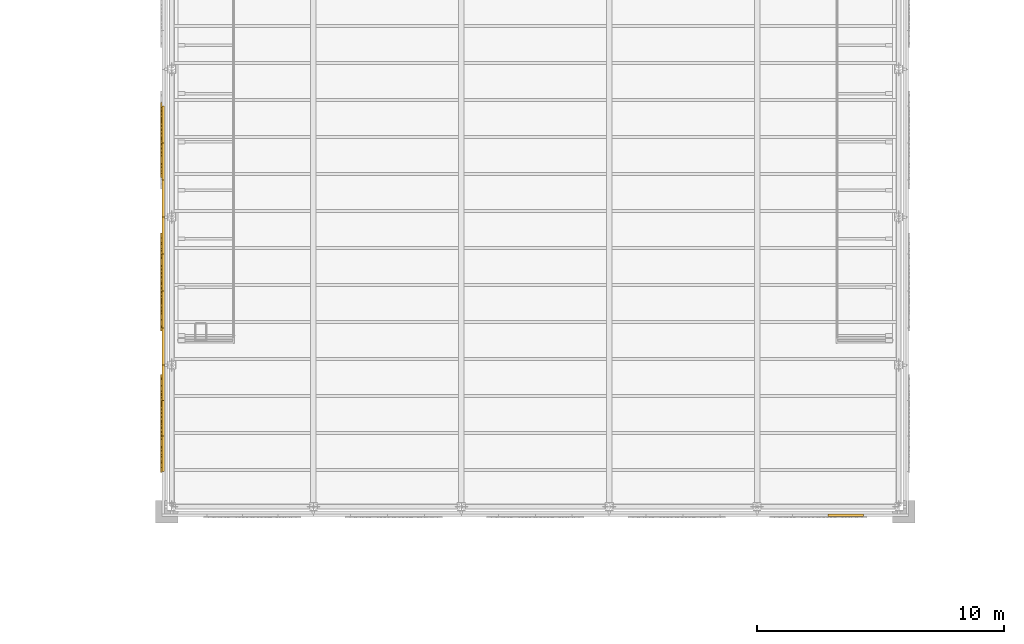
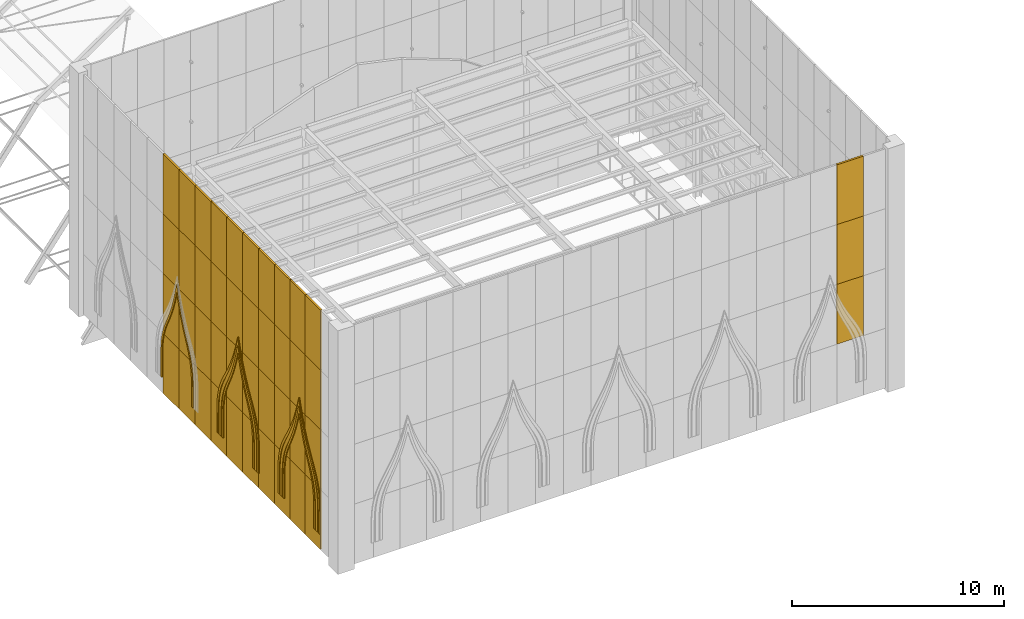
# One storey, part 38 of 43: 50 coverings.
"""IFC4 building model written with IfcOpenShell, lengths in metres."""

from ifc_helpers import new_model, si_unit, direction, frame, origin, origin_2d, place, context, subcontext, project, spatial, polyline, rectangle, outline, extrude, material, layer, layer_set, type_object, element, save


model = new_model("IFC4")

# Units and contexts
model_context = context("Model", 3, precision=1e-05, world=origin(), true_north=direction((0.0, 1.0)))
body_context = subcontext(model_context, "Body", "Model", "MODEL_VIEW")
ifc_project = project(units=[si_unit("LENGTHUNIT", "METRE"), si_unit("AREAUNIT", "SQUARE_METRE"), si_unit("VOLUMEUNIT", "CUBIC_METRE"), si_unit("PLANEANGLEUNIT", "RADIAN"), si_unit("MASSUNIT", "GRAM", prefix="KILO")], contexts=[model_context])

# Site, building, storey
site_placement = place(None, origin())
site = spatial("IfcSite", under=ifc_project, at=site_placement, CompositionType="ELEMENT")
building_placement = place(site_placement, origin())
building = spatial("IfcBuilding", under=site, at=building_placement, Name="Saffron Lane Theatres", CompositionType="ELEMENT")
storey_placement = place(building_placement, frame((0.0, 0.0, 23.0)))
storey = spatial("IfcBuildingStorey", under=building, at=storey_placement, Name="Roof", CompositionType="ELEMENT", Elevation=23.0)

# Coverings
ifc_material_1 = material(Name="Masonry sandstone", Category="masonry")
ifc_layer_1 = layer(ifc_material_1, 0.050048828125)
ifc_layer_set_1 = layer_set([ifc_layer_1], Name="Masonry sandstone")
covering_type_1 = type_object("IfcCoveringType", Name="EX-ARCH FRAME RING SANDSTONE 50", PredefinedType="CLADDING", material=ifc_layer_set_1)
covering_1_placement = place(storey_placement, frame((17.85009765625, 35.139892578125, 2.200927734375), z_axis=(1.0, 0.0, 0.0), x_axis=(0.0, -0.022997111267, 0.999735531465)))
element("IfcCovering", 1, at=covering_1_placement, inside=storey, type_object=covering_type_1, Name="Tower arch recess ring", PredefinedType="CLADDING", context=body_context, shape_type="SweptSolid", body=[
    extrude(outline(polyline([(0.0, 0.0), (0.38218115301468625, -1.734723475976807e-18), (0.7186530208482582, 0.019366850314774177), (1.0186343483940257, 0.05544643826297682), (1.2869898132143656, 0.1073942450897903), (1.5324780807332044, 0.17378776745953742), (1.7623540583257231, 0.2515296568088426), (1.9834518756015451, 0.3404627063224047), (2.202776749349248, 0.4372511059084794), (2.429104188580111, 0.5412045804038491), (2.6697452459604945, 0.6516665418200038), (2.9314442186341365, 0.7645745664218575), (3.2242587557200446, 0.8818951430329552), (3.5539512356028933, 0.9993442299771961), (3.92979654846717, 1.1167084751480998), (4.357635676105198, 1.233120901674377), (5.015327699382706, 1.3838072212008825), (5.016068817226268, 1.4160252607891064), (4.366001324490871, 1.5967942273293279), (3.9439676199607527, 1.7327564442441374), (3.5739165011461504, 1.8672786903993477), (3.2499732990800325, 1.999763486321328), (2.9628350509323225, 2.1292038038291268), (2.7066327022651064, 2.2552462395065995), (2.4713254475467292, 2.376656532702662), (2.25001739734727, 2.490907053600263), (2.035375040883897, 2.5976780859579662), (1.8186004110288587, 2.696683600709043), (1.5925423132365129, 2.784913430450588), (1.350366617897236, 2.862524781997902), (1.084683668937017, 2.9267571785346833), (0.7866786556407508, 2.9765923628217448), (0.45145321327135296, 3.0114103972689836), (0.06967630635315561, 3.0289838734080146), (-1.1309338204231558, 3.0566017421389713), (-1.1336905542200453, 2.936760397913078), (0.0649669640963737, 2.9091874454150646), (0.44161265927823573, 2.8914877983300227), (0.771008348913546, 2.8580248928690466), (1.0600050061992816, 2.8093737503892937), (1.3186322076088624, 2.7462804794268774), (1.5528207674004981, 2.671783320030293), (1.7720952663452818, 2.5859073816214284), (1.9838116733425173, 2.4899486846716656), (2.1955419607034057, 2.383977254835837), (2.4158793212020364, 2.269993268112194), (2.6521628801503603, 2.14856051679966), (2.9122479876208893, 2.0214519444263543), (3.202264617696377, 1.8897475680517621), (3.5303121965068223, 1.7552147166748848), (3.9042236160082666, 1.618650029593896), (4.332336763859077, 1.4815711452211926), (4.59173814645036, 1.4096686780727894), (4.32930491813541, 1.3497700741784586), (3.8953414309437466, 1.232521706650183), (3.515545984926742, 1.1132946854852734), (3.181659295833679, 0.9939884370761447), (2.88589338794146, 0.8757589305845156), (2.6202386675859732, 0.7607440539311694), (2.3786213059756434, 0.6503045506314862), (2.1532757855038445, 0.5465726940771315), (1.9368966680333337, 0.45044914831410154), (1.7209693641976722, 0.363350802148956), (1.4980005050933094, 0.28862469473167457), (1.26061166370447, 0.2239985013609291), (0.999379320784183, 0.17384048164958885), (0.7084512654818893, 0.13852946035397), (0.37786529567358396, 0.12024824162779892), (0.0008041253369972031, 0.11988626045883645), (-1.197853392979422, 0.1474592129568499), (-1.2006101267763114, 0.027617868730956684), (0.0, 0.0)])), origin(), (0.0, 0.0, -1.0), 0.050048828125),
])
covering_2_placement = place(storey_placement, frame((17.85009765625, 35.39990234375, 2.200927734375), z_axis=(1.0, 0.0, 0.0), x_axis=(0.0, -0.027312211802, 0.999626951961)))
element("IfcCovering", 2, at=covering_2_placement, inside=storey, type_object=covering_type_1, Name="Tower arch recess ring", PredefinedType="CLADDING", context=body_context, shape_type="SweptSolid", body=[
    extrude(outline(polyline([(0.0, 0.0), (0.40224966782484456, 0.0), (0.7569683522101139, 0.021325663033647923), (1.0741287445550716, 0.06248335251801053), (1.35881587726215, 0.12186874273052645), (1.6190700494014425, 0.1987736898983943), (1.8625674861259525, 0.28810382639053816), (2.095442766258442, 0.39091269943956275), (2.326605698736925, 0.5025607004097316), (2.5641165866928755, 0.6230718341746991), (2.816654525556407, 0.7483012592168254), (3.0903407581093636, 0.8788144236710781), (3.396084165823525, 1.0116267215797745), (3.73970192974778, 1.1451138231589746), (4.131457466973427, 1.2794837706470155), (4.5793177283455035, 1.4113438752340919), (5.367965845758813, 1.6088719789106471), (5.369059401114175, 1.6488961049168909), (4.592373712405251, 1.8891928918208298), (4.152381715175411, 2.0453112548396524), (3.7685211141738404, 2.1998959731527847), (3.432731606269066, 2.352923041886572), (3.1346964302061133, 2.5022320224121297), (2.8685450607724188, 2.6474948481228484), (2.6232219200460913, 2.7863270349024023), (2.3926191012862073, 2.9186512337134616), (2.1679241486534617, 3.043731295097295), (1.9409834067299485, 3.1581265204967868), (1.702753706168462, 3.2615955275713047), (1.4470871321053216, 3.352596669990605), (1.166067410650981, 3.4274385316282965), (0.851627570653509, 3.4858530580619056), (0.4986025634649585, 3.5265159804281714), (0.09695301748147107, 3.5484804398218417), (-1.1035267131570188, 3.5812804324622376), (-1.1089878219133684, 3.3814038519798384), (0.0895395123345729, 3.3486572035031186), (0.4811830268164994, 3.326966132948289), (0.8223029502766167, 3.2885823399750875), (1.1216650624110143, 3.2325336272005174), (1.3878844456533965, 3.1612711589454983), (1.6297735558430695, 3.075531084668762), (1.8552019907263628, 2.9772964736549703), (2.0741757818048376, 2.866293937065284), (2.2948285804350204, 2.745232024810359), (2.5244552009996295, 2.612934498081138), (2.770701195757555, 2.4721232428291975), (3.0417068840857833, 2.3257508585140143), (3.3457366105418473, 2.172370384695872), (3.68949306929166, 2.0159506271522787), (4.08132728915873, 1.8582172695781594), (4.529048855705248, 1.6989569353188092), (4.696888265087821, 1.6472344342183776), (4.526474999807872, 1.6047538094748455), (4.070725136628087, 1.4701784869566512), (3.6708359480459136, 1.3330999895579518), (3.3190778647446724, 1.1966602885192745), (3.0071265299826946, 1.0601098983409696), (2.7285059622896903, 0.9277776979053588), (2.4749651531490464, 0.8015987467497964), (2.2384571354702087, 0.6820371390982651), (2.011496389485317, 0.5722281781708328), (1.7868147728934902, 0.47432430097183365), (1.5563586505837161, 0.38854555217643194), (1.310148663136272, 0.3161415188187424), (1.0404352371730994, 0.2595220234928368), (0.7384592610185687, 0.21990331313053224), (0.3957256766072468, 0.1992271152896419), (0.0035087123658012432, 0.19992992464607567), (-1.1950186218821401, 0.23267657312279538), (-1.2004797306384898, 0.03279999264039589), (0.0, 0.0)])), origin(), (0.0, 0.0, -1.0), 0.050048828125),
])
covering_3_placement = place(storey_placement, frame((17.85009765625, 35.60009765625, 2.200927734375), z_axis=(1.0, 0.0, 0.0), x_axis=(0.0, -0.029193159722, 0.999573788885)))
element("IfcCovering", 3, at=covering_3_placement, inside=storey, type_object=covering_type_1, Name="Tower arch recess ring", PredefinedType="CLADDING", context=body_context, shape_type="SweptSolid", body=[
    extrude(outline(polyline([(0.0, 0.0), (0.41814696888594205, 1.734723475976807e-18), (0.789125603111909, 0.02409233927534542), (1.117551215790607, 0.07140949062843514), (1.4138389798139064, 0.13896058063500577), (1.684291082572596, 0.22509608173497841), (1.937363277165871, 0.32663810182462005), (2.179867205832405, 0.44265496857998693), (2.421715713852443, 0.5696819899102323), (2.6709334990761593, 0.7065078207405595), (2.935237077657832, 0.849731914106464), (3.222629765738853, 0.9974108152244933), (3.5441217178941016, 1.1501999447411422), (3.9056855581096905, 1.3035284634979691), (4.31752805888924, 1.4556328081547305), (4.787967845306298, 1.607002762387233), (5.517225804189668, 1.8057688377505887), (5.517753219672928, 1.8238275438974325), (4.8013385405305815, 2.0648153668666795), (4.340506268592379, 2.242406708390198), (3.938271282291685, 2.4192636594894568), (3.58627219313739, 2.5934322170713386), (3.274216701790751, 2.7637475056414638), (2.995961130595407, 2.9289234866890266), (2.740466816031439, 3.087328593289325), (2.499659169594852, 3.238465914530292), (2.2656363669885993, 3.379391046568081), (2.0302881835273854, 3.5083868956428654), (1.7836019926233202, 3.625501641871766), (1.518637861785045, 3.72727429932679), (1.2267974931881596, 3.8120020287206327), (0.9016931726067514, 3.878405918778749), (0.5327529279512241, 3.9241080383952593), (0.11531868269130997, 3.9485116953504535), (-1.0850972029347026, 3.9835705705147646), (-1.0891882365481025, 3.8434935795919487), (0.10927535652149442, 3.80849172231772), (0.5208598513484222, 3.7845031556023243), (0.8786029227496011, 3.7401050351319944), (1.1939956712027533, 3.6756944905111526), (1.4737268653934252, 3.5944955983344995), (1.7278305136182879, 3.4971922881935713), (1.9656013872290956, 3.3842458348191324), (2.1961258571893527, 3.2573448230259685), (2.426057056003304, 3.1184931465610197), (2.665924192342985, 2.968604517112854), (2.9233351632820677, 2.8089222097747135), (3.2054668106452016, 2.6426560466687783), (3.5215853968391, 2.4692911562476056), (3.8796212551058513, 2.292748088633249), (4.287627592240669, 2.11279164502912), (4.753527614249379, 1.9330983389877205), (5.066509931399305, 1.8279693234330057), (4.7479256065488, 1.7412855953198925), (4.27230403428107, 1.5881130204924403), (3.8545191289971497, 1.4332512906713022), (3.4867902294164193, 1.277904623695015), (3.161092637688706, 1.123284364638375), (2.8697098376597303, 0.9727910604658873), (2.603446839285382, 0.8293799484205129), (2.3552408365211748, 0.6937457914929044), (2.1175979680736017, 0.5685498997026498), (1.8800602976332301, 0.4553189270567006), (1.6361029829485005, 0.356441638060052), (1.3767536888360727, 0.2741340330107499), (1.092760407361754, 0.20939905659534055), (0.774146148118956, 0.1635050717787033), (0.41442170503741954, 0.14006102591359282), (0.0021387410569844428, 0.14013400881289806), (-1.1963248520126126, 0.17513586608712695), (-1.2004158856260125, 0.03505887516431111), (0.0, 0.0)])), origin(), (0.0, 0.0, -1.0), 0.050048828125),
])
covering_4_placement = place(storey_placement, frame((17.85009765625, 40.889892578125, 2.200927734375), z_axis=(1.0, 0.0, 0.0), x_axis=(0.0, -0.022997111267, 0.999735531465)))
element("IfcCovering", 4, at=covering_4_placement, inside=storey, type_object=covering_type_1, Name="Tower arch recess ring", PredefinedType="CLADDING", context=body_context, shape_type="SweptSolid", body=[
    extrude(outline(polyline([(0.0, 0.0), (0.38218115301468625, -1.734723475976807e-18), (0.7186530208482582, 0.019366850314774177), (1.0186343483940257, 0.05544643826297682), (1.2869898132143656, 0.1073942450897903), (1.5324780807332044, 0.17378776745953742), (1.7623540583257231, 0.2515296568088426), (1.9834518756015451, 0.3404627063224047), (2.202776749349248, 0.4372511059084794), (2.429104188580111, 0.5412045804038491), (2.6697452459604945, 0.6516665418200038), (2.931472291279726, 0.7657949467092903), (3.2242587557200446, 0.8818951430329552), (3.5539512356028933, 0.9993442299771961), (3.92979654846717, 1.1167084751480998), (4.357635676105198, 1.233120901674377), (5.015327699382706, 1.3838072212008825), (5.016068817226268, 1.4160252607891064), (4.366001324490871, 1.5967942273293279), (3.9439676199607527, 1.7327564442441374), (3.5739165011461504, 1.8672786903993477), (3.2499732990800325, 1.999763486321328), (2.9628350509323225, 2.1292038038291268), (2.7066327022651064, 2.2552462395065995), (2.4713254475467292, 2.376656532702662), (2.25001739734727, 2.490907053600263), (2.035375040883897, 2.5976780859579662), (1.8186004110288587, 2.696683600709043), (1.5925423132365129, 2.784913430450588), (1.350366617897236, 2.862524781997902), (1.084683668937017, 2.9267571785346833), (0.7866786556407508, 2.9765923628217448), (0.45145321327135296, 3.0114103972689836), (0.06967630635315561, 3.0289838734080146), (-1.1309338204231558, 3.0566017421389713), (-1.1336905542200453, 2.936760397913078), (0.0649669640963737, 2.9091874454150646), (0.44161265927823573, 2.8914877983300227), (0.771008348913546, 2.8580248928690466), (1.0600050061992816, 2.8093737503892937), (1.318654665725334, 2.7472567836568236), (1.5528207674004981, 2.671783320030293), (1.7720952663452818, 2.5859073816214284), (1.9838116733425173, 2.4899486846716656), (2.1955419607034057, 2.383977254835837), (2.4158793212020364, 2.269993268112194), (2.6521628801503603, 2.14856051679966), (2.9122479876208893, 2.0214519444263543), (3.202264617696377, 1.8897475680517621), (3.5303121965068223, 1.7552147166748848), (3.9042236160082666, 1.618650029593896), (4.332336763859077, 1.4815711452211926), (4.59173814645036, 1.4096686780727894), (4.32930491813541, 1.3497700741784586), (3.8953414309437466, 1.232521706650183), (3.515545984926742, 1.1132946854852734), (3.181659295833679, 0.9939884370761447), (2.88589338794146, 0.8757589305845156), (2.6202386675859732, 0.7607440539311694), (2.3786213059756434, 0.6503045506314862), (2.1532757855038445, 0.5465726940771315), (1.9368966680333337, 0.45044914831410154), (1.7209918223141438, 0.36432710637890214), (1.4980005050933094, 0.28862469473167457), (1.2606341218209416, 0.22497480559087527), (0.999379320784183, 0.17384048164958885), (0.7084512654818893, 0.13852946035397), (0.37786529567358396, 0.12024824162779892), (0.0008041253369972031, 0.11988626045883645), (-1.197853392979422, 0.1474592129568499), (-1.2006101267763114, 0.027617868730956684), (0.0, 0.0)])), origin(), (0.0, 0.0, -1.0), 0.050048828125),
])
covering_5_placement = place(storey_placement, frame((17.85009765625, 41.14990234375, 2.200927734375), z_axis=(1.0, 0.0, 0.0), x_axis=(0.0, -0.027312211802, 0.999626951961)))
element("IfcCovering", 5, at=covering_5_placement, inside=storey, type_object=covering_type_1, Name="Tower arch recess ring", PredefinedType="CLADDING", context=body_context, shape_type="SweptSolid", body=[
    extrude(outline(polyline([(0.0, 0.0), (0.40224966782484456, 0.0), (0.7569683522101139, 0.021325663033647923), (1.0741287445550716, 0.06248335251801053), (1.35881587726215, 0.12186874273052645), (1.6190700494014425, 0.1987736898983943), (1.8625941582077907, 0.2890800245858124), (2.095442766258442, 0.39091269943956275), (2.326605698736925, 0.5025607004097316), (2.5641165866928755, 0.6230718341746991), (2.816654525556407, 0.7483012592168254), (3.0903407581093636, 0.8788144236710781), (3.396084165823525, 1.0116267215797745), (3.739728601829618, 1.1460900213542489), (4.131457466973427, 1.2794837706470155), (4.5793177283455035, 1.4113438752340919), (5.367965845758813, 1.6088719789106471), (5.369059401114175, 1.6488961049168909), (4.592373712405251, 1.8891928918208298), (4.152381715175411, 2.0453112548396524), (3.7685211141738404, 2.1998959731527847), (3.432731606269066, 2.352923041886572), (3.1346964302061133, 2.5022320224121297), (2.8685450607724188, 2.6474948481228484), (2.6232219200460913, 2.7863270349024023), (2.3926457733680455, 2.919627431908736), (2.1679241486534617, 3.043731295097295), (1.9409834067299485, 3.1581265204967868), (1.702753706168462, 3.2615955275713047), (1.4470871321053216, 3.352596669990605), (1.166067410650981, 3.4274385316282965), (0.851627570653509, 3.4858530580619056), (0.4986025634649585, 3.5265159804281714), (0.09695301748147107, 3.5484804398218417), (-1.1035267131570188, 3.5812804324622376), (-1.1089878219133684, 3.3814038519798384), (0.0895395123345729, 3.3486572035031186), (0.48120969889833753, 3.327942331143563), (0.8223029502766167, 3.2885823399750875), (1.1216650624110143, 3.2325336272005174), (1.3878844456533965, 3.1612711589454983), (1.6297735558430695, 3.075531084668762), (1.8552019907263628, 2.9772964736549703), (2.0742024538866755, 2.867270135260558), (2.2948285804350204, 2.745232024810359), (2.5244552009996295, 2.612934498081138), (2.770727867839393, 2.473099441024472), (3.0417068840857833, 2.3257508585140143), (3.3457366105418473, 2.172370384695872), (3.6895197413734984, 2.0169268253475527), (4.08132728915873, 1.8582172695781594), (4.529048855705248, 1.6989569353188092), (4.696888265087821, 1.6472344342183776), (4.526474999807872, 1.6047538094748455), (4.070725136628087, 1.4701784869566512), (3.670862620127752, 1.3340761877532261), (3.3190778647446724, 1.1966602885192745), (3.0071265299826946, 1.0601098983409696), (2.7285326343715286, 0.9287538961006331), (2.4749651531490464, 0.8015987467497964), (2.2384571354702087, 0.6820371390982651), (2.011523061567155, 0.573204376366107), (1.7868147728934902, 0.47432430097183365), (1.5563586505837161, 0.38854555217643194), (1.310148663136272, 0.3161415188187424), (1.0404352371730994, 0.2595220234928368), (0.7384592610185687, 0.21990331313053224), (0.3957256766072468, 0.1992271152896419), (0.0035087123658012432, 0.19992992464607567), (-1.1950186218821401, 0.23267657312279538), (-1.2004797306384898, 0.03279999264039589), (0.0, 0.0)])), origin(), (0.0, 0.0, -1.0), 0.050048828125),
])
covering_6_placement = place(storey_placement, frame((17.85009765625, 41.35009765625, 2.200927734375), z_axis=(1.0, 0.0, 0.0), x_axis=(0.0, -0.029193159722, 0.999573788885)))
element("IfcCovering", 6, at=covering_6_placement, inside=storey, type_object=covering_type_1, Name="Tower arch recess ring", PredefinedType="CLADDING", context=body_context, shape_type="SweptSolid", body=[
    extrude(outline(polyline([(0.0, 0.0), (0.41814696888594205, 1.734723475976807e-18), (0.789125603111909, 0.02409233927534542), (1.117551215790607, 0.07140949062843514), (1.4138389798139064, 0.13896058063500577), (1.684291082572596, 0.22509608173497841), (1.9373917861109122, 0.3276142481028278), (2.179867205832405, 0.44265496857998693), (2.421715713852443, 0.5696819899102323), (2.6709334990761593, 0.7065078207405595), (2.935237077657832, 0.849731914106464), (3.2226582746838943, 0.9983869615027009), (3.5441217178941016, 1.1501999447411422), (3.9056855581096905, 1.3035284634979691), (4.3175565678342815, 1.4566089544329384), (4.787967845306298, 1.607002762387233), (5.517225804189668, 1.8057688377505887), (5.517753219672928, 1.8238275438974325), (4.8013385405305815, 2.0648153668666795), (4.340506268592379, 2.242406708390198), (3.938271282291685, 2.4192636594894568), (3.58627219313739, 2.5934322170713386), (3.274245210735792, 2.7647236519196716), (2.995961130595407, 2.9289234866890266), (2.740466816031439, 3.087328593289325), (2.499659169594852, 3.238465914530292), (2.2656363669885993, 3.379391046568081), (2.0303166924724265, 3.5093630419210733), (1.7836019926233202, 3.625501641871766), (1.518637861785045, 3.72727429932679), (1.2267974931881596, 3.8120020287206327), (0.9016931726067514, 3.878405918778749), (0.5327529279512241, 3.9241080383952593), (0.11531868269130997, 3.9485116953504535), (-1.0850972029347026, 3.9835705705147646), (-1.0891882365481025, 3.8434935795919487), (0.10927535652149442, 3.80849172231772), (0.5208598513484222, 3.7845031556023243), (0.8786029227496011, 3.7401050351319944), (1.1939956712027533, 3.6756944905111526), (1.4737268653934252, 3.5944955983344995), (1.7278305136182879, 3.4971922881935713), (1.9656013872290956, 3.3842458348191324), (2.1961258571893527, 3.2573448230259685), (2.426057056003304, 3.1184931465610197), (2.665924192342985, 2.968604517112854), (2.923363672227109, 2.8098983560529214), (3.2054668106452016, 2.6426560466687783), (3.5215853968391, 2.4692911562476056), (3.8796212551058513, 2.292748088633249), (4.28765610118571, 2.113767791307328), (4.753527614249379, 1.9330983389877205), (5.066509931399305, 1.8279693234330057), (4.7479256065488, 1.7412855953198925), (4.272332543226111, 1.5890891667706482), (3.8545191289971497, 1.4332512906713022), (3.4867902294164193, 1.277904623695015), (3.161092637688706, 1.123284364638375), (2.8697098376597303, 0.9727910604658873), (2.603446839285382, 0.8293799484205129), (2.3552408365211748, 0.6937457914929044), (2.1175979680736017, 0.5685498997026498), (1.8800602976332301, 0.4553189270567006), (1.6361029829485005, 0.356441638060052), (1.3767536888360727, 0.2741340330107499), (1.092760407361754, 0.20939905659534055), (0.774146148118956, 0.1635050717787033), (0.41442170503741954, 0.14006102591359282), (0.0021387410569844428, 0.14013400881289806), (-1.1963248520126126, 0.17513586608712695), (-1.2004158856260125, 0.03505887516431111), (0.0, 0.0)])), origin(), (0.0, 0.0, -1.0), 0.050048828125),
])
covering_7_placement = place(storey_placement, frame((17.85009765625, 46.639892578125, 2.200927734375), z_axis=(1.0, 0.0, 0.0), x_axis=(0.0, -0.022997111267, 0.999735531465)))
element("IfcCovering", 7, at=covering_7_placement, inside=storey, type_object=covering_type_1, Name="Tower arch recess ring", PredefinedType="CLADDING", context=body_context, shape_type="SweptSolid", body=[
    extrude(outline(polyline([(0.0, 0.0), (0.38218115301468625, -1.734723475976807e-18), (0.7186530208482582, 0.019366850314774177), (1.0186343483940257, 0.05544643826297682), (1.2869898132143656, 0.1073942450897903), (1.5324780807332044, 0.17378776745953742), (1.7623540583257231, 0.2515296568088426), (1.9834518756015451, 0.3404627063224047), (2.202776749349248, 0.4372511059084794), (2.429104188580111, 0.5412045804038491), (2.6697452459604945, 0.6516665418200038), (2.931472291279726, 0.7657949467092903), (3.2242587557200446, 0.8818951430329552), (3.5539512356028933, 0.9993442299771961), (3.92979654846717, 1.1167084751480998), (4.357635676105198, 1.233120901674377), (5.015327699382706, 1.3838072212008825), (5.016068817226268, 1.4160252607891064), (4.366001324490871, 1.5967942273293279), (3.9439676199607527, 1.7327564442441374), (3.5739165011461504, 1.8672786903993477), (3.2499732990800325, 1.999763486321328), (2.9628350509323225, 2.1292038038291268), (2.7066327022651064, 2.2552462395065995), (2.4713254475467292, 2.376656532702662), (2.25001739734727, 2.490907053600263), (2.035375040883897, 2.5976780859579662), (1.8186004110288587, 2.696683600709043), (1.5925423132365129, 2.784913430450588), (1.350366617897236, 2.862524781997902), (1.084683668937017, 2.9267571785346833), (0.7866786556407508, 2.9765923628217448), (0.45145321327135296, 3.0114103972689836), (0.06967630635315561, 3.0289838734080146), (-1.1309338204231558, 3.0566017421389713), (-1.1336905542200453, 2.936760397913078), (0.0649669640963737, 2.9091874454150646), (0.44161265927823573, 2.8914877983300227), (0.771008348913546, 2.8580248928690466), (1.0600050061992816, 2.8093737503892937), (1.318654665725334, 2.7472567836568236), (1.5528207674004981, 2.671783320030293), (1.7720952663452818, 2.5859073816214284), (1.9838116733425173, 2.4899486846716656), (2.1955419607034057, 2.383977254835837), (2.4158793212020364, 2.269993268112194), (2.6521628801503603, 2.14856051679966), (2.9122479876208893, 2.0214519444263543), (3.202264617696377, 1.8897475680517621), (3.5303121965068223, 1.7552147166748848), (3.9042236160082666, 1.618650029593896), (4.332336763859077, 1.4815711452211926), (4.59173814645036, 1.4096686780727894), (4.32930491813541, 1.3497700741784586), (3.8953414309437466, 1.232521706650183), (3.515545984926742, 1.1132946854852734), (3.181659295833679, 0.9939884370761447), (2.88589338794146, 0.8757589305845156), (2.6202386675859732, 0.7607440539311694), (2.3786213059756434, 0.6503045506314862), (2.1532757855038445, 0.5465726940771315), (1.9368966680333337, 0.45044914831410154), (1.7209918223141438, 0.36432710637890214), (1.4980005050933094, 0.28862469473167457), (1.2606341218209416, 0.22497480559087527), (0.999379320784183, 0.17384048164958885), (0.7084512654818893, 0.13852946035397), (0.37786529567358396, 0.12024824162779892), (0.0008041253369972031, 0.11988626045883645), (-1.197853392979422, 0.1474592129568499), (-1.2006101267763114, 0.027617868730956684), (0.0, 0.0)])), origin(), (0.0, 0.0, -1.0), 0.050048828125),
])
ifc_material_2 = material(Name="Masonry perforated pale clay brick", Category="masonry")
ifc_layer_2 = layer(ifc_material_2, 0.10009765625)
ifc_layer_set_2 = layer_set([ifc_layer_2], Name="Masonry perforated pale clay brick")
covering_type_2 = type_object("IfcCoveringType", Name="EX-CLADDING PANEL PERFORATED BRICK 100", PredefinedType="CLADDING", material=ifc_layer_set_2)
for number, where, z_axis, x_axis, name in (
    (8, (45.59375, 29.89990234375, 3.53759765625), (0.0, 0.0, 1.0), (1.0, 0.0, 0.0), "Tower panel S74"),
    (9, (45.59375, 29.89990234375, 6.97509765625), (0.0, 0.0, 1.0), (1.0, 0.0, 0.0), "Tower panel S75"),
    (10, (45.59375, 29.89990234375, 10.41259765625), (0.0, 0.0, 1.0), (1.0, 0.0, 0.0), "Tower panel S76"),
    (11, (17.89990234375, 32.40625, 0.10009765625), (0.0, 0.0, 1.0), (0.0, 1.0, 0.0), "Tower panel W165"),
    (12, (17.89990234375, 32.40625, 3.53759765625), (0.0, 0.0, 1.0), (0.0, 1.0, 0.0), "Tower panel W166"),
    (13, (17.89990234375, 32.40625, 6.97509765625), (0.0, 0.0, 1.0), (0.0, 1.0, 0.0), "Tower panel W167"),
    (14, (17.89990234375, 32.40625, 10.41259765625), (0.0, 0.0, 1.0), (0.0, 1.0, 0.0), "Tower panel W168"),
    (15, (17.89990234375, 33.84375, 0.10009765625), (0.0, 0.0, 1.0), (0.0, 1.0, 0.0), "Tower panel W169"),
    (16, (17.89990234375, 33.84375, 3.53759765625), (0.0, 0.0, 1.0), (0.0, 1.0, 0.0), "Tower panel W170"),
    (17, (17.89990234375, 33.84375, 6.97509765625), (0.0, 0.0, 1.0), (0.0, 1.0, 0.0), "Tower panel W171"),
    (18, (17.89990234375, 33.84375, 10.41259765625), (0.0, 0.0, 1.0), (0.0, 1.0, 0.0), "Tower panel W172"),
    (19, (17.89990234375, 35.28125, 0.10009765625), (0.0, 0.0, 1.0), (0.0, 1.0, 0.0), "Tower panel W173"),
    (20, (17.89990234375, 35.28125, 3.53759765625), (0.0, 0.0, 1.0), (0.0, 1.0, 0.0), "Tower panel W174"),
    (21, (17.89990234375, 35.28125, 6.97509765625), (0.0, 0.0, 1.0), (0.0, 1.0, 0.0), "Tower panel W175"),
    (22, (17.89990234375, 35.28125, 10.41259765625), (0.0, 0.0, 1.0), (0.0, 1.0, 0.0), "Tower panel W176"),
):
    element("IfcCovering", number, at=place(storey_placement, frame(where, z_axis=z_axis, x_axis=x_axis)), inside=storey, type_object=covering_type_2, Name=name, PredefinedType="CLADDING", context=body_context, shape_type="SweptSolid", body=[
        extrude(rectangle(XDim=1.4375, YDim=0.10009765625, at=origin_2d()), origin(), (0.0, 0.0, 1.0), 3.4375),
    ])
for number, where, z_axis, x_axis, name in (
    (23, (17.89990234375, 36.75, 0.10009765625), (0.0, 0.0, 1.0), (0.0, 1.0, 0.0), "Tower panel W177"),
    (24, (17.89990234375, 36.75, 3.53759765625), (0.0, 0.0, 1.0), (0.0, 1.0, 0.0), "Tower panel W178"),
    (25, (17.89990234375, 36.75, 6.97509765625), (0.0, 0.0, 1.0), (0.0, 1.0, 0.0), "Tower panel W179"),
    (26, (17.89990234375, 36.75, 10.41259765625), (0.0, 0.0, 1.0), (0.0, 1.0, 0.0), "Tower panel W180"),
    (27, (17.89990234375, 38.25, 0.10009765625), (0.0, 0.0, 1.0), (0.0, 1.0, 0.0), "Tower panel W181"),
    (28, (17.89990234375, 38.25, 3.53759765625), (0.0, 0.0, 1.0), (0.0, 1.0, 0.0), "Tower panel W182"),
    (29, (17.89990234375, 38.25, 6.97509765625), (0.0, 0.0, 1.0), (0.0, 1.0, 0.0), "Tower panel W183"),
    (30, (17.89990234375, 38.25, 10.41259765625), (0.0, 0.0, 1.0), (0.0, 1.0, 0.0), "Tower panel W184"),
    (31, (17.89990234375, 39.75, 0.10009765625), (0.0, 0.0, 1.0), (0.0, 1.0, 0.0), "Tower panel W185"),
    (32, (17.89990234375, 39.75, 3.53759765625), (0.0, 0.0, 1.0), (0.0, 1.0, 0.0), "Tower panel W186"),
    (33, (17.89990234375, 39.75, 6.97509765625), (0.0, 0.0, 1.0), (0.0, 1.0, 0.0), "Tower panel W187"),
    (34, (17.89990234375, 39.75, 10.41259765625), (0.0, 0.0, 1.0), (0.0, 1.0, 0.0), "Tower panel W188"),
    (35, (17.89990234375, 41.25, 0.10009765625), (0.0, 0.0, 1.0), (0.0, 1.0, 0.0), "Tower panel W189"),
    (36, (17.89990234375, 41.25, 3.53759765625), (0.0, 0.0, 1.0), (0.0, 1.0, 0.0), "Tower panel W190"),
    (37, (17.89990234375, 41.25, 6.97509765625), (0.0, 0.0, 1.0), (0.0, 1.0, 0.0), "Tower panel W191"),
    (38, (17.89990234375, 41.25, 10.41259765625), (0.0, 0.0, 1.0), (0.0, 1.0, 0.0), "Tower panel W192"),
    (39, (17.89990234375, 42.75, 0.10009765625), (0.0, 0.0, 1.0), (0.0, 1.0, 0.0), "Tower panel W193"),
    (40, (17.89990234375, 42.75, 3.53759765625), (0.0, 0.0, 1.0), (0.0, 1.0, 0.0), "Tower panel W194"),
    (41, (17.89990234375, 42.75, 6.97509765625), (0.0, 0.0, 1.0), (0.0, 1.0, 0.0), "Tower panel W195"),
    (42, (17.89990234375, 42.75, 10.41259765625), (0.0, 0.0, 1.0), (0.0, 1.0, 0.0), "Tower panel W196"),
    (43, (17.89990234375, 44.25, 0.10009765625), (0.0, 0.0, 1.0), (0.0, 1.0, 0.0), "Tower panel W197"),
    (44, (17.89990234375, 44.25, 3.53759765625), (0.0, 0.0, 1.0), (0.0, 1.0, 0.0), "Tower panel W198"),
    (45, (17.89990234375, 44.25, 6.97509765625), (0.0, 0.0, 1.0), (0.0, 1.0, 0.0), "Tower panel W199"),
    (46, (17.89990234375, 44.25, 10.41259765625), (0.0, 0.0, 1.0), (0.0, 1.0, 0.0), "Tower panel W200"),
    (47, (17.89990234375, 45.75, 0.10009765625), (0.0, 0.0, 1.0), (0.0, 1.0, 0.0), "Tower panel W201"),
    (48, (17.89990234375, 45.75, 3.53759765625), (0.0, 0.0, 1.0), (0.0, 1.0, 0.0), "Tower panel W202"),
    (49, (17.89990234375, 45.75, 6.97509765625), (0.0, 0.0, 1.0), (0.0, 1.0, 0.0), "Tower panel W203"),
    (50, (17.89990234375, 45.75, 10.41259765625), (0.0, 0.0, 1.0), (0.0, 1.0, 0.0), "Tower panel W204"),
):
    element("IfcCovering", number, at=place(storey_placement, frame(where, z_axis=z_axis, x_axis=x_axis)), inside=storey, type_object=covering_type_2, Name=name, PredefinedType="CLADDING", context=body_context, shape_type="SweptSolid", body=[
        extrude(rectangle(XDim=1.5, YDim=0.10009765625, at=origin_2d()), origin(), (0.0, 0.0, 1.0), 3.4375),
    ])

save(model, "model.ifc")
